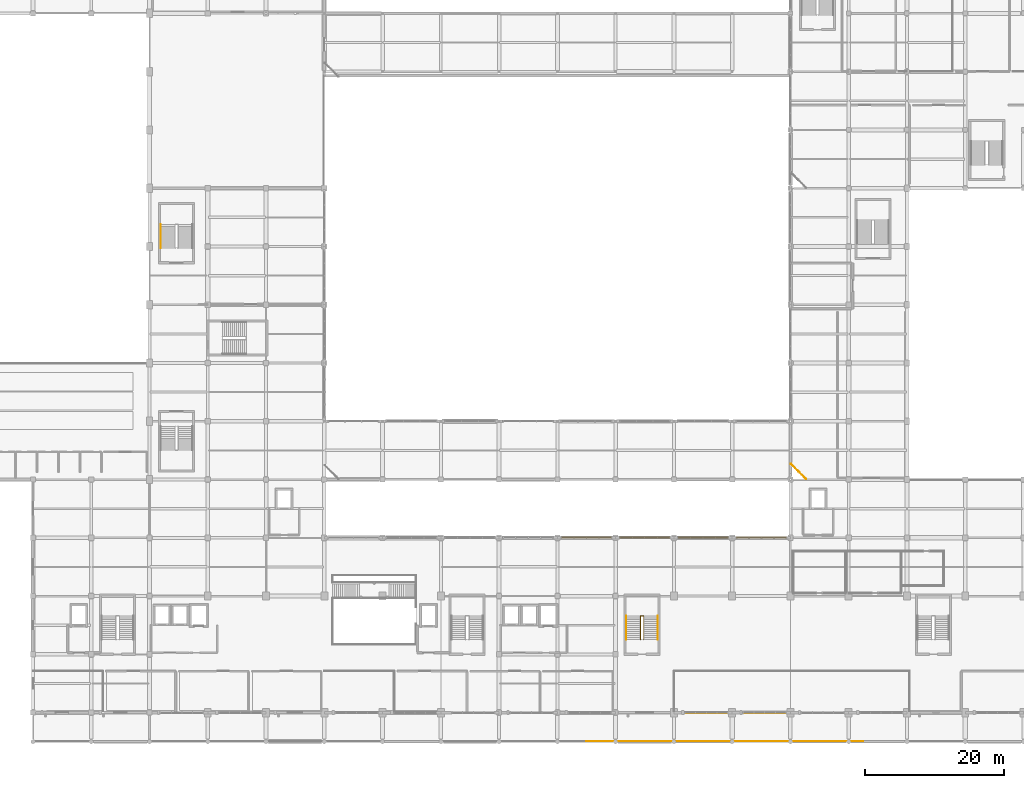
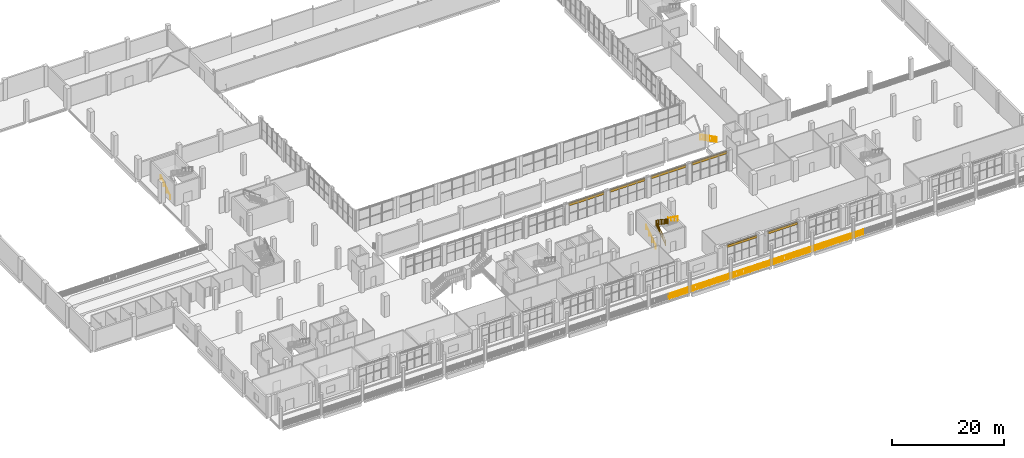
# One storey, part 72 of 75: 7 railings, 4 shading devices, 2 coverings.
"""IFC4 building model written with IfcOpenShell, lengths in metres."""

from ifc_helpers import new_model, si_unit, derived_unit, direction, frame, origin, origin_2d, place, context, subcontext, project, spatial, rectangle, circle, extrude, material, layer, layer_set, type_object, element, save


model = new_model("IFC4")

# Units and contexts
model_context = context("Model", 3, precision=1e-05, world=origin(), true_north=direction((0.0, 1.0)))
body_context = subcontext(model_context, "Body", "Model", "MODEL_VIEW")
ifc_project = project(units=[si_unit("LENGTHUNIT", "METRE"), si_unit("AREAUNIT", "SQUARE_METRE"), si_unit("VOLUMEUNIT", "CUBIC_METRE"), si_unit("PLANEANGLEUNIT", "RADIAN"), si_unit("MASSUNIT", "GRAM", prefix="KILO"), derived_unit("THERMALTRANSMITTANCEUNIT", [(si_unit("POWERUNIT", "WATT"), 1), (si_unit("LENGTHUNIT", "METRE"), -2), (si_unit("THERMODYNAMICTEMPERATUREUNIT", "KELVIN"), -1)])], contexts=[model_context])

# Site, building, storey
site_placement = place(None, origin())
site = spatial("IfcSite", under=ifc_project, at=site_placement, CompositionType="ELEMENT")
building_placement = place(site_placement, origin())
building = spatial("IfcBuilding", under=site, at=building_placement, Name="Barrovel Congress Hotel", CompositionType="ELEMENT")
storey_placement = place(building_placement, frame((0.0, 0.0, 5.39990234375)))
storey = spatial("IfcBuildingStorey", under=building, at=storey_placement, Name="L01", CompositionType="ELEMENT", Elevation=5.39990234375)

# Coverings
ifc_material_1 = material(Name="Glazed Terracotta Spandrel", Category="masonry")
ifc_layer_1 = layer(ifc_material_1, 0.1201171875)
ifc_layer_set_1 = layer_set([ifc_layer_1], Name="Glazed Terracotta Spandrel")
covering_type = type_object("IfcCoveringType", Name="COV-CLAD-TERRA", PredefinedType="CLADDING", material=ifc_layer_set_1)
for number, where, z_axis, x_axis, name in (
    (1, (113.8798828125, 4.14990234375, 3.710205078125), (0.0, 0.0, 1.0), (1.0, 0.0, 0.0), "CLAD:L01:S:13"),
    (2, (122.280029296875, 4.14990234375, 3.710205078125), (0.0, 0.0, 1.0), (1.0, 0.0, 0.0), "CLAD:L01:S:14"),
):
    element("IfcCovering", number, at=place(storey_placement, frame(where, z_axis=z_axis, x_axis=x_axis)), inside=storey, type_object=covering_type, Name=name, PredefinedType="CLADDING", context=body_context, shape_type="SweptSolid", body=[
        extrude(rectangle(XDim=6.1201171875, YDim=0.1201171875, at=origin_2d()), origin(), (0.0, 0.0, 1.0), 0.52001953125),
    ])

# Railings
ifc_material_2 = material(Name="Painted Architectural Steel", Category="steel")
ifc_layer_2 = layer(ifc_material_2, 0.080078125)
ifc_layer_set_2 = layer_set([ifc_layer_2], Name="Painted Architectural Steel")
railing_type_1 = type_object("IfcRailingType", Name="RAIL-GUARD-EXT", PredefinedType="BALUSTRADE", material=ifc_layer_set_2)
railing_1_placement = place(storey_placement, frame((96.60009765625, 0.080078125, 0.0)))
element("IfcRailing", 3, at=railing_1_placement, inside=storey, type_object=railing_type_1, Name="Arcade Promenade Guardrail 5", PredefinedType="BALUSTRADE", context=body_context, shape_type="SweptSolid", body=[
    extrude(circle(Radius=0.02392578125, at=origin_2d()), frame((0.0, 0.0, 1.11572265625), z_axis=(1.0, 0.0, 0.0), x_axis=(0.0, 1.0, 0.0)), (0.0, 0.0, 1.0), 19.949951171875),
    extrude(circle(Radius=0.02392578125, at=origin_2d()), frame((0.0, 0.0, 0.10009765625), z_axis=(1.0, 0.0, 0.0), x_axis=(0.0, 1.0, 0.0)), (0.0, 0.0, 1.0), 19.949951171875),
    extrude(circle(Radius=0.010009765625, at=origin_2d()), frame((0.443359375, 0.0, 0.10009765625)), (0.0, 0.0, 1.0), 0.99169921875),
    extrude(circle(Radius=0.010009765625, at=origin_2d()), frame((0.88671875, 0.0, 0.10009765625)), (0.0, 0.0, 1.0), 0.99169921875),
    extrude(circle(Radius=0.010009765625, at=origin_2d()), frame((1.330078125, 0.0, 0.10009765625)), (0.0, 0.0, 1.0), 0.99169921875),
    extrude(circle(Radius=0.010009765625, at=origin_2d()), frame((1.7734375, 0.0, 0.10009765625)), (0.0, 0.0, 1.0), 0.99169921875),
    extrude(circle(Radius=0.010009765625, at=origin_2d()), frame((2.216552734375, 0.0, 0.10009765625)), (0.0, 0.0, 1.0), 0.99169921875),
    extrude(circle(Radius=0.010009765625, at=origin_2d()), frame((2.659912109375, 0.0, 0.10009765625)), (0.0, 0.0, 1.0), 0.99169921875),
    extrude(circle(Radius=0.010009765625, at=origin_2d()), frame((3.103271484375, 0.0, 0.10009765625)), (0.0, 0.0, 1.0), 0.99169921875),
    extrude(circle(Radius=0.010009765625, at=origin_2d()), frame((3.546630859375, 0.0, 0.10009765625)), (0.0, 0.0, 1.0), 0.99169921875),
    extrude(circle(Radius=0.010009765625, at=origin_2d()), frame((3.989990234375, 0.0, 0.10009765625)), (0.0, 0.0, 1.0), 0.99169921875),
    extrude(circle(Radius=0.010009765625, at=origin_2d()), frame((4.433349609375, 0.0, 0.10009765625)), (0.0, 0.0, 1.0), 0.99169921875),
    extrude(circle(Radius=0.010009765625, at=origin_2d()), frame((4.876708984375, 0.0, 0.10009765625)), (0.0, 0.0, 1.0), 0.99169921875),
    extrude(circle(Radius=0.010009765625, at=origin_2d()), frame((5.320068359375, 0.0, 0.10009765625)), (0.0, 0.0, 1.0), 0.99169921875),
    extrude(circle(Radius=0.010009765625, at=origin_2d()), frame((5.763427734375, 0.0, 0.10009765625)), (0.0, 0.0, 1.0), 0.99169921875),
    extrude(circle(Radius=0.010009765625, at=origin_2d()), frame((6.20654296875, 0.0, 0.10009765625)), (0.0, 0.0, 1.0), 0.99169921875),
    extrude(circle(Radius=0.010009765625, at=origin_2d()), frame((6.64990234375, 0.0, 0.10009765625)), (0.0, 0.0, 1.0), 0.99169921875),
    extrude(circle(Radius=0.010009765625, at=origin_2d()), frame((7.09326171875, 0.0, 0.10009765625)), (0.0, 0.0, 1.0), 0.99169921875),
    extrude(circle(Radius=0.010009765625, at=origin_2d()), frame((7.53662109375, 0.0, 0.10009765625)), (0.0, 0.0, 1.0), 0.99169921875),
    extrude(circle(Radius=0.010009765625, at=origin_2d()), frame((7.97998046875, 0.0, 0.10009765625)), (0.0, 0.0, 1.0), 0.99169921875),
    extrude(circle(Radius=0.010009765625, at=origin_2d()), frame((8.42333984375, 0.0, 0.10009765625)), (0.0, 0.0, 1.0), 0.99169921875),
    extrude(circle(Radius=0.010009765625, at=origin_2d()), frame((8.86669921875, 0.0, 0.10009765625)), (0.0, 0.0, 1.0), 0.99169921875),
    extrude(circle(Radius=0.010009765625, at=origin_2d()), frame((9.31005859375, 0.0, 0.10009765625)), (0.0, 0.0, 1.0), 0.99169921875),
    extrude(circle(Radius=0.010009765625, at=origin_2d()), frame((9.75341796875, 0.0, 0.10009765625)), (0.0, 0.0, 1.0), 0.99169921875),
    extrude(circle(Radius=0.010009765625, at=origin_2d()), frame((10.196533203125, 0.0, 0.10009765625)), (0.0, 0.0, 1.0), 0.99169921875),
    extrude(circle(Radius=0.010009765625, at=origin_2d()), frame((10.639892578125, 0.0, 0.10009765625)), (0.0, 0.0, 1.0), 0.99169921875),
    extrude(circle(Radius=0.010009765625, at=origin_2d()), frame((11.083251953125, 0.0, 0.10009765625)), (0.0, 0.0, 1.0), 0.99169921875),
    extrude(circle(Radius=0.010009765625, at=origin_2d()), frame((11.526611328125, 0.0, 0.10009765625)), (0.0, 0.0, 1.0), 0.99169921875),
    extrude(circle(Radius=0.010009765625, at=origin_2d()), frame((11.969970703125, 0.0, 0.10009765625)), (0.0, 0.0, 1.0), 0.99169921875),
    extrude(circle(Radius=0.010009765625, at=origin_2d()), frame((12.413330078125, 0.0, 0.10009765625)), (0.0, 0.0, 1.0), 0.99169921875),
    extrude(circle(Radius=0.010009765625, at=origin_2d()), frame((12.856689453125, 0.0, 0.10009765625)), (0.0, 0.0, 1.0), 0.99169921875),
    extrude(circle(Radius=0.010009765625, at=origin_2d()), frame((13.300048828125, 0.0, 0.10009765625)), (0.0, 0.0, 1.0), 0.99169921875),
    extrude(circle(Radius=0.010009765625, at=origin_2d()), frame((13.743408203125, 0.0, 0.10009765625)), (0.0, 0.0, 1.0), 0.99169921875),
    extrude(circle(Radius=0.010009765625, at=origin_2d()), frame((14.1865234375, 0.0, 0.10009765625)), (0.0, 0.0, 1.0), 0.99169921875),
    extrude(circle(Radius=0.010009765625, at=origin_2d()), frame((14.6298828125, 0.0, 0.10009765625)), (0.0, 0.0, 1.0), 0.99169921875),
    extrude(circle(Radius=0.010009765625, at=origin_2d()), frame((15.0732421875, 0.0, 0.10009765625)), (0.0, 0.0, 1.0), 0.99169921875),
    extrude(circle(Radius=0.010009765625, at=origin_2d()), frame((15.5166015625, 0.0, 0.10009765625)), (0.0, 0.0, 1.0), 0.99169921875),
    extrude(circle(Radius=0.010009765625, at=origin_2d()), frame((15.9599609375, 0.0, 0.10009765625)), (0.0, 0.0, 1.0), 0.99169921875),
    extrude(circle(Radius=0.010009765625, at=origin_2d()), frame((16.4033203125, 0.0, 0.10009765625)), (0.0, 0.0, 1.0), 0.99169921875),
    extrude(circle(Radius=0.010009765625, at=origin_2d()), frame((16.8466796875, 0.0, 0.10009765625)), (0.0, 0.0, 1.0), 0.99169921875),
    extrude(circle(Radius=0.010009765625, at=origin_2d()), frame((17.2900390625, 0.0, 0.10009765625)), (0.0, 0.0, 1.0), 0.99169921875),
    extrude(circle(Radius=0.010009765625, at=origin_2d()), frame((17.7333984375, 0.0, 0.10009765625)), (0.0, 0.0, 1.0), 0.99169921875),
    extrude(circle(Radius=0.010009765625, at=origin_2d()), frame((18.176513671875, 0.0, 0.10009765625)), (0.0, 0.0, 1.0), 0.99169921875),
    extrude(circle(Radius=0.010009765625, at=origin_2d()), frame((18.619873046875, 0.0, 0.10009765625)), (0.0, 0.0, 1.0), 0.99169921875),
    extrude(circle(Radius=0.010009765625, at=origin_2d()), frame((19.063232421875, 0.0, 0.10009765625)), (0.0, 0.0, 1.0), 0.99169921875),
    extrude(circle(Radius=0.010009765625, at=origin_2d()), frame((19.506591796875, 0.0, 0.10009765625)), (0.0, 0.0, 1.0), 0.99169921875),
    extrude(circle(Radius=0.02099609375, at=origin_2d()), origin(), (0.0, 0.0, 1.0), 1.091796875),
    extrude(circle(Radius=0.02099609375, at=origin_2d()), frame((1.66259765625, 0.0, 0.0)), (0.0, 0.0, 1.0), 1.091796875),
    extrude(circle(Radius=0.02099609375, at=origin_2d()), frame((3.324951171875, 0.0, 0.0)), (0.0, 0.0, 1.0), 1.091796875),
    extrude(circle(Radius=0.02099609375, at=origin_2d()), frame((4.987548828125, 0.0, 0.0)), (0.0, 0.0, 1.0), 1.091796875),
    extrude(circle(Radius=0.02099609375, at=origin_2d()), frame((6.64990234375, 0.0, 0.0)), (0.0, 0.0, 1.0), 1.091796875),
    extrude(circle(Radius=0.02099609375, at=origin_2d()), frame((8.3125, 0.0, 0.0)), (0.0, 0.0, 1.0), 1.091796875),
    extrude(circle(Radius=0.02099609375, at=origin_2d()), frame((9.97509765625, 0.0, 0.0)), (0.0, 0.0, 1.0), 1.091796875),
    extrude(circle(Radius=0.02099609375, at=origin_2d()), frame((11.637451171875, 0.0, 0.0)), (0.0, 0.0, 1.0), 1.091796875),
    extrude(circle(Radius=0.02099609375, at=origin_2d()), frame((13.300048828125, 0.0, 0.0)), (0.0, 0.0, 1.0), 1.091796875),
    extrude(circle(Radius=0.02099609375, at=origin_2d()), frame((14.96240234375, 0.0, 0.0)), (0.0, 0.0, 1.0), 1.091796875),
    extrude(circle(Radius=0.02099609375, at=origin_2d()), frame((16.625, 0.0, 0.0)), (0.0, 0.0, 1.0), 1.091796875),
    extrude(circle(Radius=0.02099609375, at=origin_2d()), frame((18.287353515625, 0.0, 0.0)), (0.0, 0.0, 1.0), 1.091796875),
    extrude(circle(Radius=0.02099609375, at=origin_2d()), frame((19.949951171875, 0.0, 0.0)), (0.0, 0.0, 1.0), 1.091796875),
])
railing_2_placement = place(storey_placement, frame((116.550048828125, 0.080078125, 0.0)))
element("IfcRailing", 4, at=railing_2_placement, inside=storey, type_object=railing_type_1, Name="Arcade Promenade Guardrail 6", PredefinedType="BALUSTRADE", context=body_context, shape_type="SweptSolid", body=[
    extrude(circle(Radius=0.02392578125, at=origin_2d()), frame((0.0, 0.0, 1.11572265625), z_axis=(1.0, 0.0, 0.0), x_axis=(0.0, 1.0, 0.0)), (0.0, 0.0, 1.0), 19.949951171875),
    extrude(circle(Radius=0.02392578125, at=origin_2d()), frame((0.0, 0.0, 0.10009765625), z_axis=(1.0, 0.0, 0.0), x_axis=(0.0, 1.0, 0.0)), (0.0, 0.0, 1.0), 19.949951171875),
    extrude(circle(Radius=0.010009765625, at=origin_2d()), frame((0.443359375, 0.0, 0.10009765625)), (0.0, 0.0, 1.0), 0.99169921875),
    extrude(circle(Radius=0.010009765625, at=origin_2d()), frame((0.88671875, 0.0, 0.10009765625)), (0.0, 0.0, 1.0), 0.99169921875),
    extrude(circle(Radius=0.010009765625, at=origin_2d()), frame((1.330078125, 0.0, 0.10009765625)), (0.0, 0.0, 1.0), 0.99169921875),
    extrude(circle(Radius=0.010009765625, at=origin_2d()), frame((1.7734375, 0.0, 0.10009765625)), (0.0, 0.0, 1.0), 0.99169921875),
    extrude(circle(Radius=0.010009765625, at=origin_2d()), frame((2.216552734375, 0.0, 0.10009765625)), (0.0, 0.0, 1.0), 0.99169921875),
    extrude(circle(Radius=0.010009765625, at=origin_2d()), frame((2.659912109375, 0.0, 0.10009765625)), (0.0, 0.0, 1.0), 0.99169921875),
    extrude(circle(Radius=0.010009765625, at=origin_2d()), frame((3.103271484375, 0.0, 0.10009765625)), (0.0, 0.0, 1.0), 0.99169921875),
    extrude(circle(Radius=0.010009765625, at=origin_2d()), frame((3.546630859375, 0.0, 0.10009765625)), (0.0, 0.0, 1.0), 0.99169921875),
    extrude(circle(Radius=0.010009765625, at=origin_2d()), frame((3.989990234375, 0.0, 0.10009765625)), (0.0, 0.0, 1.0), 0.99169921875),
    extrude(circle(Radius=0.010009765625, at=origin_2d()), frame((4.433349609375, 0.0, 0.10009765625)), (0.0, 0.0, 1.0), 0.99169921875),
    extrude(circle(Radius=0.010009765625, at=origin_2d()), frame((4.876708984375, 0.0, 0.10009765625)), (0.0, 0.0, 1.0), 0.99169921875),
    extrude(circle(Radius=0.010009765625, at=origin_2d()), frame((5.320068359375, 0.0, 0.10009765625)), (0.0, 0.0, 1.0), 0.99169921875),
    extrude(circle(Radius=0.010009765625, at=origin_2d()), frame((5.763427734375, 0.0, 0.10009765625)), (0.0, 0.0, 1.0), 0.99169921875),
    extrude(circle(Radius=0.010009765625, at=origin_2d()), frame((6.20654296875, 0.0, 0.10009765625)), (0.0, 0.0, 1.0), 0.99169921875),
    extrude(circle(Radius=0.010009765625, at=origin_2d()), frame((6.64990234375, 0.0, 0.10009765625)), (0.0, 0.0, 1.0), 0.99169921875),
    extrude(circle(Radius=0.010009765625, at=origin_2d()), frame((7.09326171875, 0.0, 0.10009765625)), (0.0, 0.0, 1.0), 0.99169921875),
    extrude(circle(Radius=0.010009765625, at=origin_2d()), frame((7.53662109375, 0.0, 0.10009765625)), (0.0, 0.0, 1.0), 0.99169921875),
    extrude(circle(Radius=0.010009765625, at=origin_2d()), frame((7.97998046875, 0.0, 0.10009765625)), (0.0, 0.0, 1.0), 0.99169921875),
    extrude(circle(Radius=0.010009765625, at=origin_2d()), frame((8.42333984375, 0.0, 0.10009765625)), (0.0, 0.0, 1.0), 0.99169921875),
    extrude(circle(Radius=0.010009765625, at=origin_2d()), frame((8.86669921875, 0.0, 0.10009765625)), (0.0, 0.0, 1.0), 0.99169921875),
    extrude(circle(Radius=0.010009765625, at=origin_2d()), frame((9.31005859375, 0.0, 0.10009765625)), (0.0, 0.0, 1.0), 0.99169921875),
    extrude(circle(Radius=0.010009765625, at=origin_2d()), frame((9.75341796875, 0.0, 0.10009765625)), (0.0, 0.0, 1.0), 0.99169921875),
    extrude(circle(Radius=0.010009765625, at=origin_2d()), frame((10.196533203125, 0.0, 0.10009765625)), (0.0, 0.0, 1.0), 0.99169921875),
    extrude(circle(Radius=0.010009765625, at=origin_2d()), frame((10.639892578125, 0.0, 0.10009765625)), (0.0, 0.0, 1.0), 0.99169921875),
    extrude(circle(Radius=0.010009765625, at=origin_2d()), frame((11.083251953125, 0.0, 0.10009765625)), (0.0, 0.0, 1.0), 0.99169921875),
    extrude(circle(Radius=0.010009765625, at=origin_2d()), frame((11.526611328125, 0.0, 0.10009765625)), (0.0, 0.0, 1.0), 0.99169921875),
    extrude(circle(Radius=0.010009765625, at=origin_2d()), frame((11.969970703125, 0.0, 0.10009765625)), (0.0, 0.0, 1.0), 0.99169921875),
    extrude(circle(Radius=0.010009765625, at=origin_2d()), frame((12.413330078125, 0.0, 0.10009765625)), (0.0, 0.0, 1.0), 0.99169921875),
    extrude(circle(Radius=0.010009765625, at=origin_2d()), frame((12.856689453125, 0.0, 0.10009765625)), (0.0, 0.0, 1.0), 0.99169921875),
    extrude(circle(Radius=0.010009765625, at=origin_2d()), frame((13.300048828125, 0.0, 0.10009765625)), (0.0, 0.0, 1.0), 0.99169921875),
    extrude(circle(Radius=0.010009765625, at=origin_2d()), frame((13.743408203125, 0.0, 0.10009765625)), (0.0, 0.0, 1.0), 0.99169921875),
    extrude(circle(Radius=0.010009765625, at=origin_2d()), frame((14.1865234375, 0.0, 0.10009765625)), (0.0, 0.0, 1.0), 0.99169921875),
    extrude(circle(Radius=0.010009765625, at=origin_2d()), frame((14.6298828125, 0.0, 0.10009765625)), (0.0, 0.0, 1.0), 0.99169921875),
    extrude(circle(Radius=0.010009765625, at=origin_2d()), frame((15.0732421875, 0.0, 0.10009765625)), (0.0, 0.0, 1.0), 0.99169921875),
    extrude(circle(Radius=0.010009765625, at=origin_2d()), frame((15.5166015625, 0.0, 0.10009765625)), (0.0, 0.0, 1.0), 0.99169921875),
    extrude(circle(Radius=0.010009765625, at=origin_2d()), frame((15.9599609375, 0.0, 0.10009765625)), (0.0, 0.0, 1.0), 0.99169921875),
    extrude(circle(Radius=0.010009765625, at=origin_2d()), frame((16.4033203125, 0.0, 0.10009765625)), (0.0, 0.0, 1.0), 0.99169921875),
    extrude(circle(Radius=0.010009765625, at=origin_2d()), frame((16.8466796875, 0.0, 0.10009765625)), (0.0, 0.0, 1.0), 0.99169921875),
    extrude(circle(Radius=0.010009765625, at=origin_2d()), frame((17.2900390625, 0.0, 0.10009765625)), (0.0, 0.0, 1.0), 0.99169921875),
    extrude(circle(Radius=0.010009765625, at=origin_2d()), frame((17.7333984375, 0.0, 0.10009765625)), (0.0, 0.0, 1.0), 0.99169921875),
    extrude(circle(Radius=0.010009765625, at=origin_2d()), frame((18.176513671875, 0.0, 0.10009765625)), (0.0, 0.0, 1.0), 0.99169921875),
    extrude(circle(Radius=0.010009765625, at=origin_2d()), frame((18.619873046875, 0.0, 0.10009765625)), (0.0, 0.0, 1.0), 0.99169921875),
    extrude(circle(Radius=0.010009765625, at=origin_2d()), frame((19.063232421875, 0.0, 0.10009765625)), (0.0, 0.0, 1.0), 0.99169921875),
    extrude(circle(Radius=0.010009765625, at=origin_2d()), frame((19.506591796875, 0.0, 0.10009765625)), (0.0, 0.0, 1.0), 0.99169921875),
    extrude(circle(Radius=0.02099609375, at=origin_2d()), origin(), (0.0, 0.0, 1.0), 1.091796875),
    extrude(circle(Radius=0.02099609375, at=origin_2d()), frame((1.66259765625, 0.0, 0.0)), (0.0, 0.0, 1.0), 1.091796875),
    extrude(circle(Radius=0.02099609375, at=origin_2d()), frame((3.324951171875, 0.0, 0.0)), (0.0, 0.0, 1.0), 1.091796875),
    extrude(circle(Radius=0.02099609375, at=origin_2d()), frame((4.987548828125, 0.0, 0.0)), (0.0, 0.0, 1.0), 1.091796875),
    extrude(circle(Radius=0.02099609375, at=origin_2d()), frame((6.64990234375, 0.0, 0.0)), (0.0, 0.0, 1.0), 1.091796875),
    extrude(circle(Radius=0.02099609375, at=origin_2d()), frame((8.3125, 0.0, 0.0)), (0.0, 0.0, 1.0), 1.091796875),
    extrude(circle(Radius=0.02099609375, at=origin_2d()), frame((9.97509765625, 0.0, 0.0)), (0.0, 0.0, 1.0), 1.091796875),
    extrude(circle(Radius=0.02099609375, at=origin_2d()), frame((11.637451171875, 0.0, 0.0)), (0.0, 0.0, 1.0), 1.091796875),
    extrude(circle(Radius=0.02099609375, at=origin_2d()), frame((13.300048828125, 0.0, 0.0)), (0.0, 0.0, 1.0), 1.091796875),
    extrude(circle(Radius=0.02099609375, at=origin_2d()), frame((14.96240234375, 0.0, 0.0)), (0.0, 0.0, 1.0), 1.091796875),
    extrude(circle(Radius=0.02099609375, at=origin_2d()), frame((16.625, 0.0, 0.0)), (0.0, 0.0, 1.0), 1.091796875),
    extrude(circle(Radius=0.02099609375, at=origin_2d()), frame((18.287353515625, 0.0, 0.0)), (0.0, 0.0, 1.0), 1.091796875),
    extrude(circle(Radius=0.02099609375, at=origin_2d()), frame((19.949951171875, 0.0, 0.0)), (0.0, 0.0, 1.0), 1.091796875),
])
ifc_layer_3 = layer(ifc_material_2, 0.070068359375)
ifc_layer_set_3 = layer_set([ifc_layer_3], Name="Painted Architectural Steel")
railing_type_2 = type_object("IfcRailingType", Name="RAIL-GUARD-INT", PredefinedType="BALUSTRADE", material=ifc_layer_set_3)
railing_3_placement = place(storey_placement, frame((104.360107421875, 14.739990234375, 0.0)))
element("IfcRailing", 5, at=railing_3_placement, inside=storey, type_object=railing_type_2, Name="STAIR:XS-03:L01:GR-W", PredefinedType="BALUSTRADE", context=body_context, shape_type="SweptSolid", body=[
    extrude(circle(Radius=0.02392578125, at=origin_2d()), frame((0.0, 0.0, 1.11572265625), z_axis=(0.0, 0.833174834292, 0.553009670352), x_axis=(-1.0, 0.0, 0.0)), (0.0, 0.0, 1.0), 4.068603515625),
    extrude(circle(Radius=0.02392578125, at=origin_2d()), frame((0.0, 0.0, 0.10009765625), z_axis=(0.0, 0.833174834292, 0.553009670352), x_axis=(-1.0, 0.0, 0.0)), (0.0, 0.0, 1.0), 4.068603515625),
    extrude(circle(Radius=0.010009765625, at=origin_2d()), frame((0.0, 0.3388671875, 0.324951171875)), (0.0, 0.0, 1.0), 0.99169921875),
    extrude(circle(Radius=0.010009765625, at=origin_2d()), frame((0.0, 0.677978515625, 0.550048828125)), (0.0, 0.0, 1.0), 0.99169921875),
    extrude(circle(Radius=0.010009765625, at=origin_2d()), frame((0.0, 1.01708984375, 0.77490234375)), (0.0, 0.0, 1.0), 0.99169921875),
    extrude(circle(Radius=0.010009765625, at=origin_2d()), frame((0.0, 1.35595703125, 1.0)), (0.0, 0.0, 1.0), 0.99169921875),
    extrude(circle(Radius=0.010009765625, at=origin_2d()), frame((0.0, 1.69482421875, 1.22509765625)), (0.0, 0.0, 1.0), 0.99169921875),
    extrude(circle(Radius=0.010009765625, at=origin_2d()), frame((0.0, 2.033935546875, 1.449951171875)), (0.0, 0.0, 1.0), 0.99169921875),
    extrude(circle(Radius=0.010009765625, at=origin_2d()), frame((0.0, 2.373046875, 1.675048828125)), (0.0, 0.0, 1.0), 0.99169921875),
    extrude(circle(Radius=0.010009765625, at=origin_2d()), frame((0.0, 2.7119140625, 1.89990234375)), (0.0, 0.0, 1.0), 0.99169921875),
    extrude(circle(Radius=0.010009765625, at=origin_2d()), frame((0.0, 3.05078125, 2.125)), (0.0, 0.0, 1.0), 0.99169921875),
    extrude(circle(Radius=0.02392578125, at=origin_2d()), frame((0.0, 3.389892578125, 3.36572265625), z_axis=(1.0, 0.0, 0.0), x_axis=(0.0, 1.0, 0.0)), (0.0, 0.0, 1.0), 0.47998046875),
    extrude(circle(Radius=0.02392578125, at=origin_2d()), frame((0.0, 3.389892578125, 2.35009765625), z_axis=(1.0, 0.0, 0.0), x_axis=(0.0, 1.0, 0.0)), (0.0, 0.0, 1.0), 0.47998046875),
    extrude(circle(Radius=0.010009765625, at=origin_2d()), frame((0.239990234375, 3.389892578125, 2.35009765625)), (0.0, 0.0, 1.0), 0.99169921875),
    extrude(circle(Radius=0.02392578125, at=origin_2d()), frame((0.47998046875, 3.389892578125, 3.36572265625), z_axis=(0.0, -0.833174834292, 0.553009670352), x_axis=(1.0, 0.0, 0.0)), (0.0, 0.0, 1.0), 4.068603515625),
    extrude(circle(Radius=0.02392578125, at=origin_2d()), frame((0.47998046875, 3.389892578125, 2.35009765625), z_axis=(0.0, -0.833174834292, 0.553009670352), x_axis=(1.0, 0.0, 0.0)), (0.0, 0.0, 1.0), 4.068603515625),
    extrude(circle(Radius=0.010009765625, at=origin_2d()), frame((0.47998046875, 3.05078125, 2.574951171875)), (0.0, 0.0, 1.0), 0.99169921875),
    extrude(circle(Radius=0.010009765625, at=origin_2d()), frame((0.47998046875, 2.7119140625, 2.800048828125)), (0.0, 0.0, 1.0), 0.99169921875),
    extrude(circle(Radius=0.010009765625, at=origin_2d()), frame((0.47998046875, 2.373046875, 3.02490234375)), (0.0, 0.0, 1.0), 0.99169921875),
    extrude(circle(Radius=0.010009765625, at=origin_2d()), frame((0.47998046875, 2.033935546875, 3.25)), (0.0, 0.0, 1.0), 0.99169921875),
    extrude(circle(Radius=0.010009765625, at=origin_2d()), frame((0.47998046875, 1.69482421875, 3.47509765625)), (0.0, 0.0, 1.0), 0.99169921875),
    extrude(circle(Radius=0.010009765625, at=origin_2d()), frame((0.47998046875, 1.35595703125, 3.699951171875)), (0.0, 0.0, 1.0), 0.99169921875),
    extrude(circle(Radius=0.010009765625, at=origin_2d()), frame((0.47998046875, 1.01708984375, 3.925048828125)), (0.0, 0.0, 1.0), 0.99169921875),
    extrude(circle(Radius=0.010009765625, at=origin_2d()), frame((0.47998046875, 0.677978515625, 4.14990234375)), (0.0, 0.0, 1.0), 0.99169921875),
    extrude(circle(Radius=0.010009765625, at=origin_2d()), frame((0.47998046875, 0.3388671875, 4.375)), (0.0, 0.0, 1.0), 0.99169921875),
    extrude(circle(Radius=0.02099609375, at=origin_2d()), origin(), (0.0, 0.0, 1.0), 1.091796875),
    extrude(circle(Radius=0.02099609375, at=origin_2d()), frame((0.0, 1.1298828125, 0.75)), (0.0, 0.0, 1.0), 1.091796875),
    extrude(circle(Radius=0.02099609375, at=origin_2d()), frame((0.0, 2.260009765625, 1.5)), (0.0, 0.0, 1.0), 1.091796875),
    extrude(circle(Radius=0.02099609375, at=origin_2d()), frame((0.0, 3.389892578125, 2.25)), (0.0, 0.0, 1.0), 1.091796875),
    extrude(circle(Radius=0.02099609375, at=origin_2d()), frame((0.47998046875, 3.389892578125, 2.25)), (0.0, 0.0, 1.0), 1.091796875),
    extrude(circle(Radius=0.02099609375, at=origin_2d()), frame((0.47998046875, 2.260009765625, 3.0)), (0.0, 0.0, 1.0), 1.091796875),
    extrude(circle(Radius=0.02099609375, at=origin_2d()), frame((0.47998046875, 1.1298828125, 3.75)), (0.0, 0.0, 1.0), 1.091796875),
    extrude(circle(Radius=0.02099609375, at=origin_2d()), frame((0.47998046875, 0.0, 4.5)), (0.0, 0.0, 1.0), 1.091796875),
])
railing_4_placement = place(storey_placement, frame((128.25, 37.8798828125, 0.0)))
element("IfcRailing", 6, at=railing_4_placement, inside=storey, type_object=railing_type_2, Name="RAIL:L01:CG-SAL", PredefinedType="BALUSTRADE", context=body_context, shape_type="SweptSolid", body=[
    extrude(circle(Radius=0.02392578125, at=origin_2d()), frame((0.0, 0.0, 1.11572265625), z_axis=(-0.707067003571, 0.707146556564, 0.0), x_axis=(-0.707146556564, -0.707067003571, 0.0)), (0.0, 0.0, 1.0), 3.06884765625),
    extrude(circle(Radius=0.02392578125, at=origin_2d()), frame((0.0, 0.0, 0.10009765625), z_axis=(-0.707067003571, 0.707146556564, 0.0), x_axis=(-0.707146556564, -0.707067003571, 0.0)), (0.0, 0.0, 1.0), 3.06884765625),
    extrude(circle(Radius=0.010009765625, at=origin_2d()), frame((-0.31005859375, 0.31005859375, 0.10009765625)), (0.0, 0.0, 1.0), 0.99169921875),
    extrude(circle(Radius=0.010009765625, at=origin_2d()), frame((-0.619873046875, 0.6201171875, 0.10009765625)), (0.0, 0.0, 1.0), 0.99169921875),
    extrude(circle(Radius=0.010009765625, at=origin_2d()), frame((-0.929931640625, 0.93017578125, 0.10009765625)), (0.0, 0.0, 1.0), 0.99169921875),
    extrude(circle(Radius=0.010009765625, at=origin_2d()), frame((-1.239990234375, 1.239990234375, 0.10009765625)), (0.0, 0.0, 1.0), 0.99169921875),
    extrude(circle(Radius=0.010009765625, at=origin_2d()), frame((-1.550048828125, 1.550048828125, 0.10009765625)), (0.0, 0.0, 1.0), 0.99169921875),
    extrude(circle(Radius=0.010009765625, at=origin_2d()), frame((-1.85986328125, 1.860107421875, 0.10009765625)), (0.0, 0.0, 1.0), 0.99169921875),
    extrude(circle(Radius=0.02099609375, at=origin_2d()), origin(), (0.0, 0.0, 1.0), 1.091796875),
    extrude(circle(Radius=0.02099609375, at=origin_2d()), frame((-1.0849609375, 1.0849609375, 0.0)), (0.0, 0.0, 1.0), 1.091796875),
    extrude(circle(Radius=0.02099609375, at=origin_2d()), frame((-2.169921875, 2.170166015625, 0.0)), (0.0, 0.0, 1.0), 1.091796875),
])
ifc_material_3 = material(Name="Brushed Stainless Steel", Category="steel")
ifc_layer_4 = layer(ifc_material_3, 0.050048828125)
ifc_layer_set_4 = layer_set([ifc_layer_4], Name="Brushed Stainless Steel")
railing_type_3 = type_object("IfcRailingType", Name="RAIL-HAND", PredefinedType="HANDRAIL", material=ifc_layer_set_4)
railing_5_placement = place(storey_placement, frame((102.320068359375, 14.739990234375, 0.0)))
element("IfcRailing", 7, at=railing_5_placement, inside=storey, type_object=railing_type_3, Name="STAIR:XS-03:L01:HR-1", PredefinedType="HANDRAIL", context=body_context, shape_type="SweptSolid", body=[
    extrude(circle(Radius=0.02392578125, at=origin_2d()), frame((0.0, 0.0, 0.89599609375), z_axis=(0.0, 0.833174834292, 0.553009670352), x_axis=(-1.0, 0.0, 0.0)), (0.0, 0.0, 1.0), 4.068603515625),
    extrude(circle(Radius=0.02099609375, at=origin_2d()), origin(), (0.0, 0.0, 1.0), 0.871826171875),
    extrude(circle(Radius=0.02099609375, at=origin_2d()), frame((0.0, 1.1298828125, 0.75)), (0.0, 0.0, 1.0), 0.871826171875),
    extrude(circle(Radius=0.02099609375, at=origin_2d()), frame((0.0, 2.260009765625, 1.5)), (0.0, 0.0, 1.0), 0.871826171875),
    extrude(circle(Radius=0.02099609375, at=origin_2d()), frame((0.0, 3.389892578125, 2.25)), (0.0, 0.0, 1.0), 0.871826171875),
])
railing_6_placement = place(storey_placement, frame((106.8798828125, 18.1298828125, 2.25)))
element("IfcRailing", 8, at=railing_6_placement, inside=storey, type_object=railing_type_3, Name="STAIR:XS-03:L01:HR-2", PredefinedType="HANDRAIL", context=body_context, shape_type="SweptSolid", body=[
    extrude(circle(Radius=0.02392578125, at=origin_2d()), frame((0.0, 0.0, 0.89599609375), z_axis=(0.0, -0.833174834292, 0.553009670352), x_axis=(1.0, 0.0, 0.0)), (0.0, 0.0, 1.0), 4.068603515625),
    extrude(circle(Radius=0.02099609375, at=origin_2d()), origin(), (0.0, 0.0, 1.0), 0.871826171875),
    extrude(circle(Radius=0.02099609375, at=origin_2d()), frame((0.0, -1.1298828125, 0.75)), (0.0, 0.0, 1.0), 0.871826171875),
    extrude(circle(Radius=0.02099609375, at=origin_2d()), frame((0.0, -2.260009765625, 1.5)), (0.0, 0.0, 1.0), 0.871826171875),
    extrude(circle(Radius=0.02099609375, at=origin_2d()), frame((0.0, -3.389892578125, 2.25)), (0.0, 0.0, 1.0), 0.871826171875),
])
railing_7_placement = place(storey_placement, frame((35.219970703125, 71.179931640625, 0.0)))
element("IfcRailing", 9, at=railing_7_placement, inside=storey, type_object=railing_type_3, Name="STAIR:XS-07:L01:HR-1", PredefinedType="HANDRAIL", context=body_context, shape_type="SweptSolid", body=[
    extrude(circle(Radius=0.02392578125, at=origin_2d()), frame((0.0, 0.0, 0.89599609375), z_axis=(0.0, 0.833193183746, 0.552982023722), x_axis=(-1.0, 0.0, 0.0)), (0.0, 0.0, 1.0), 4.06884765625),
    extrude(circle(Radius=0.02099609375, at=origin_2d()), origin(), (0.0, 0.0, 1.0), 0.871826171875),
    extrude(circle(Radius=0.02099609375, at=origin_2d()), frame((0.0, 1.130126953125, 0.75)), (0.0, 0.0, 1.0), 0.871826171875),
    extrude(circle(Radius=0.02099609375, at=origin_2d()), frame((0.0, 2.260009765625, 1.5)), (0.0, 0.0, 1.0), 0.871826171875),
    extrude(circle(Radius=0.02099609375, at=origin_2d()), frame((0.0, 3.39013671875, 2.25)), (0.0, 0.0, 1.0), 0.871826171875),
])

# Shading devices
ifc_material_4 = material(Name="Extruded Terracotta Louvres", Category="masonry")
shading_device_type = type_object("IfcShadingDeviceType", Name="SHD-CELOSIA", PredefinedType="JALOUSIE", material=ifc_material_4)
for number, where, z_axis, x_axis, name in (
    (10, (121.800048828125, 29.4599609375, 3.6650390625), (0.0, 0.0, 1.0), (1.0, 0.0, 0.0), "CEL:L01:CS:14"),
    (11, (113.39990234375, 29.4599609375, 3.6650390625), (0.0, 0.0, 1.0), (1.0, 0.0, 0.0), "CEL:L01:CS:13"),
    (12, (105.0, 29.4599609375, 3.6650390625), (0.0, 0.0, 1.0), (1.0, 0.0, 0.0), "CEL:L01:CS:12"),
    (13, (96.60009765625, 29.4599609375, 3.6650390625), (0.0, 0.0, 1.0), (1.0, 0.0, 0.0), "CEL:L01:CS:11"),
):
    element("IfcShadingDevice", number, at=place(storey_placement, frame(where, z_axis=z_axis, x_axis=x_axis)), inside=storey, type_object=shading_device_type, Name=name, PredefinedType="JALOUSIE", context=body_context, shape_type="SweptSolid", body=[
        extrude(rectangle(XDim=7.199951171875, YDim=0.179931640625, at=origin_2d()), origin(), (0.0, 0.0, 1.0), 0.550048828125),
    ])

save(model, "model.ifc")
